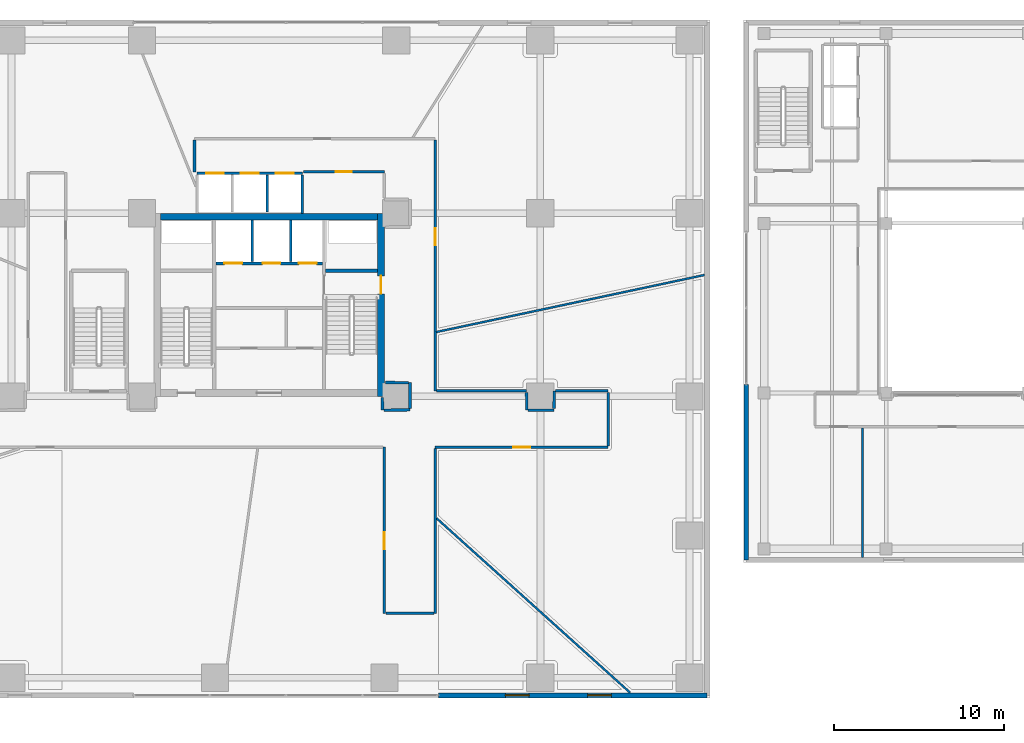
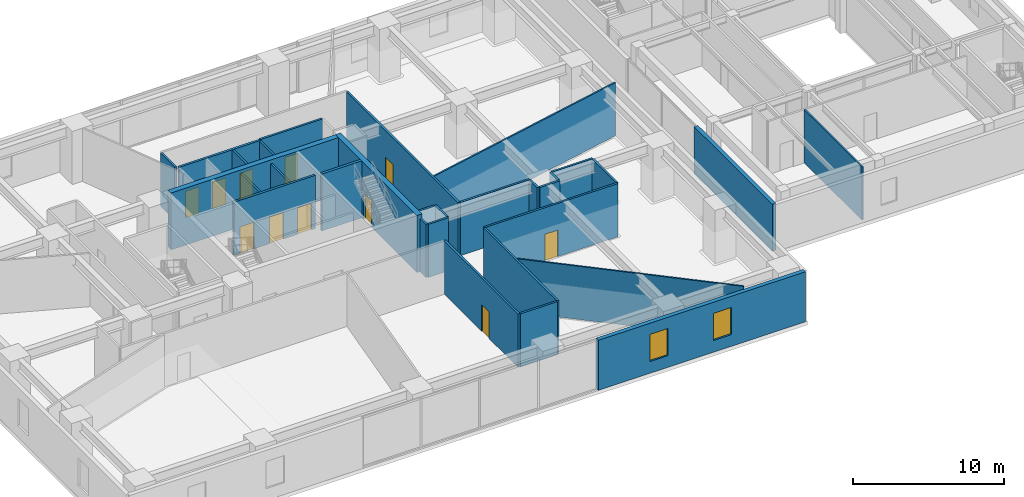
# One storey, part 17 of 24: 31 walls, 11 doors, 2 windows, 13 openings.
"""IFC4 building model written with IfcOpenShell, lengths in metres."""

from ifc_helpers import new_model, si_unit, direction, frame, frame_2d, origin, place, context, subcontext, project, spatial, rectangle, extrude, source, transform, mapped, material, layer, layer_set, type_object, type_shapes, element, fill, save


model = new_model("IFC4")

# Units and contexts
model_context = context("Model", 3, precision=1e-05, world=origin(), true_north=direction((0.0, 1.0)))
body_context = subcontext(model_context, "Body", "Model", "MODEL_VIEW")
ifc_project = project(units=[si_unit("LENGTHUNIT", "METRE"), si_unit("AREAUNIT", "SQUARE_METRE"), si_unit("VOLUMEUNIT", "CUBIC_METRE"), si_unit("PLANEANGLEUNIT", "RADIAN"), si_unit("MASSUNIT", "GRAM", prefix="KILO")], contexts=[model_context])

# Site, building, storey
site_placement = place(None, origin())
site = spatial("IfcSite", under=ifc_project, at=site_placement, CompositionType="ELEMENT")
building_placement = place(site_placement, origin())
building = spatial("IfcBuilding", under=site, at=building_placement, Name="Talar Marvaseh", CompositionType="ELEMENT")
storey_placement = place(building_placement, frame((0.0, 0.0, 9.800048828125)))
storey = spatial("IfcBuildingStorey", under=building, at=storey_placement, Name="L02", CompositionType="ELEMENT", Elevation=9.800048828125)

# Wall, openings, windows
ifc_material_1 = material(Name="Precast concrete C45/55", Category="concrete")
ifc_layer_1 = layer(ifc_material_1, 0.31005859375)
ifc_layer_set_1 = layer_set([ifc_layer_1], Name="Precast concrete C45/55")
wall_type_1 = type_object("IfcWallType", Name="Architectural Precast Limestone Podium Facade Wall 310", PredefinedType="SOLIDWALL", material=ifc_layer_set_1)
wall_1_placement = place(storey_placement, frame((51.840087890625, 8.159912109375, 0.0), z_axis=(0.0, 0.0, 1.0), x_axis=(-1.0, 0.0, 0.0)))
wall_1 = element("IfcWall", 1, at=wall_1_placement, inside=storey, type_object=wall_type_1, Name="L02 Podium South-East Facade Wall", PredefinedType="SOLIDWALL", context=body_context, shape_type="SweptSolid", body=[
    extrude(rectangle(XDim=15.840087890625, YDim=0.31005859375, at=frame_2d((7.919921875, 0.0))), origin(), (0.0, 0.0, 1.0), 4.050048828125),
])
opening_1_placement = place(wall_1_placement, frame((5.64990234375, 0.0, 0.949951171875)))
opening_1 = element("IfcOpeningElement", 2, at=opening_1_placement, cuts=wall_1, Name="Opening WN-POD14", PredefinedType="OPENING", context=body_context, shape_type="SweptSolid", body=[
    extrude(rectangle(XDim=1.39990234375, YDim=2.199951171875, at=frame_2d((0.699951171875, 1.10009765625))), frame((0.0, 0.1650390625, 0.0), z_axis=(0.0, -1.0, 0.0), x_axis=(1.0, 0.0, 0.0)), (0.0, 0.0, 1.0), 0.330078125),
])
opening_2_placement = place(wall_1_placement, frame((10.5, 0.0, 0.949951171875)))
opening_2 = element("IfcOpeningElement", 3, at=opening_2_placement, cuts=wall_1, Name="Opening WN-POD14", PredefinedType="OPENING", context=body_context, shape_type="SweptSolid", body=[
    extrude(rectangle(XDim=1.39990234375, YDim=2.199951171875, at=frame_2d((0.699951171875, 1.10009765625))), frame((0.0, 0.1650390625, 0.0), z_axis=(0.0, -1.0, 0.0), x_axis=(1.0, 0.0, 0.0)), (0.0, 0.0, 1.0), 0.330078125),
])
ifc_material_2 = material(Name="Laminated Low-E Solar Glass", Category="glass")
window_type = type_object("IfcWindowType", Name="Podium Mezzanine Solar Window 1400x2200", PartitioningType="SINGLE_PANEL", PredefinedType="WINDOW", material=ifc_material_2)
shared_shape_1 = source(origin(), body_context, "Body", "SweptSolid", [
    extrude(rectangle(XDim=1.39990234375, YDim=2.199951171875, at=frame_2d((0.699951171875, 1.10009765625))), frame((0.0, 0.030029296875, 0.0), z_axis=(0.0, -1.0, 0.0), x_axis=(1.0, 0.0, 0.0)), (0.0, 0.0, 1.0), 0.06005859375),
])
type_shapes(window_type, [shared_shape_1])
window_1_placement = place(opening_1_placement, origin())
window_1 = element("IfcWindow", 4, at=window_1_placement, inside=storey, type_object=window_type, Name="L02 Podium Solar Window", OverallHeight=2.199951171875, OverallWidth=1.39990234375, PartitioningType="SINGLE_PANEL", PredefinedType="WINDOW", context=body_context, shape_type="MappedRepresentation", body=[
    mapped(shared_shape_1, transform((0.0, 0.0, 0.0), x_axis=(1.0, 0.0, 0.0), y_axis=(0.0, 1.0, 0.0), z_axis=(0.0, 0.0, 1.0), scale=1.0)),
])
fill(opening_1, window_1)
window_2_placement = place(opening_2_placement, origin())
window_2 = element("IfcWindow", 5, at=window_2_placement, inside=storey, type_object=window_type, Name="L02 Podium Solar Window", OverallHeight=2.199951171875, OverallWidth=1.39990234375, PartitioningType="SINGLE_PANEL", PredefinedType="WINDOW", context=body_context, shape_type="MappedRepresentation", body=[
    mapped(shared_shape_1, transform((0.0, 0.0, 0.0), x_axis=(1.0, 0.0, 0.0), y_axis=(0.0, 1.0, 0.0), z_axis=(0.0, 0.0, 1.0), scale=1.0)),
])
fill(opening_2, window_2)

# Wall, opening, door
ifc_material_3 = material(Name="Gypsum Board Partition Assembly")
ifc_layer_2 = layer(ifc_material_3, 0.155029296875)
ifc_layer_set_2 = layer_set([ifc_layer_2], Name="Gypsum Board Partition Assembly")
wall_type_2 = type_object("IfcWallType", Name="Corridor Fire-Rated Acoustic Partition 155", PredefinedType="PARTITIONING", material=ifc_layer_set_2)
wall_2_placement = place(storey_placement, frame((32.800048828125, 13.0, 0.0), z_axis=(0.0, 0.0, 1.0), x_axis=(0.0, 1.0, 0.0)))
wall_2 = element("IfcWall", 6, at=wall_2_placement, inside=storey, type_object=wall_type_2, Name="L02 Interior Partition Wall", PredefinedType="PARTITIONING", context=body_context, shape_type="SweptSolid", body=[
    extrude(rectangle(XDim=9.800048828125, YDim=0.155029296875, at=frame_2d((4.89990234375, 0.0))), origin(), (0.0, 0.0, 1.0), 4.300048828125),
])
opening_3_placement = place(wall_2_placement, frame((3.78271484375, 0.0, 0.0)))
opening_3 = element("IfcOpeningElement", 7, at=opening_3_placement, cuts=wall_2, Name="Opening DR-RM100", PredefinedType="OPENING", context=body_context, shape_type="SweptSolid", body=[
    extrude(rectangle(XDim=1.0, YDim=2.14990234375, at=frame_2d((0.5, 1.074951171875))), frame((0.0, 0.08740234375, 0.0), z_axis=(0.0, -1.0, 0.0), x_axis=(1.0, 0.0, 0.0)), (0.0, 0.0, 1.0), 0.175048828125),
])
ifc_material_4 = material(Name="Acoustic Engineered Oak Timber", Category="wood")
door_type_1 = type_object("IfcDoorType", Name="Corridor Fire-Rated Gallery Door 1000x2150", OperationType="NOTDEFINED", PredefinedType="DOOR", material=ifc_material_4)
shared_shape_2 = source(origin(), body_context, "Body", "SweptSolid", [
    extrude(rectangle(XDim=1.0, YDim=2.14990234375, at=frame_2d((0.5, 1.074951171875))), frame((0.0, 0.02490234375, 0.0), z_axis=(0.0, -1.0, 0.0), x_axis=(1.0, 0.0, 0.0)), (0.0, 0.0, 1.0), 0.050048828125),
])
type_shapes(door_type_1, [shared_shape_2])
door_1_placement = place(opening_3_placement, origin())
door_1 = element("IfcDoor", 8, at=door_1_placement, inside=storey, type_object=door_type_1, Name="L02 Auditorium Pre-Function Foyer Door", OperationType="SINGLE_SWING_RIGHT", OverallHeight=2.14990234375, OverallWidth=1.0, PredefinedType="DOOR", context=body_context, shape_type="MappedRepresentation", body=[
    mapped(shared_shape_2, transform((0.0, 0.0, 0.0), x_axis=(1.0, 0.0, 0.0), y_axis=(0.0, 1.0, 0.0), z_axis=(0.0, 0.0, 1.0), scale=1.0)),
])
fill(opening_3, door_1)

wall_3_placement = place(storey_placement, frame((32.800048828125, 39.0400390625, 0.0), z_axis=(0.0, 0.0, 1.0), x_axis=(-1.0, 0.0, 0.0)))
wall_3 = element("IfcWall", 9, at=wall_3_placement, inside=storey, type_object=wall_type_2, Name="L02 Interior Partition Wall", PredefinedType="PARTITIONING", context=body_context, shape_type="SweptSolid", body=[
    extrude(rectangle(XDim=4.77001953125, YDim=0.155029296875, at=frame_2d((2.385009765625, 0.0))), origin(), (0.0, 0.0, 1.0), 4.300048828125),
])
opening_4_placement = place(wall_3_placement, frame((1.909912109375, 0.0, 0.0)))
opening_4 = element("IfcOpeningElement", 10, at=opening_4_placement, cuts=wall_3, Name="Opening DR-WC095", PredefinedType="OPENING", context=body_context, shape_type="SweptSolid", body=[
    extrude(rectangle(XDim=0.949951171875, YDim=2.14990234375, at=frame_2d((0.47509765625, 1.074951171875))), frame((0.0, 0.08740234375, 0.0), z_axis=(0.0, -1.0, 0.0), x_axis=(1.0, 0.0, 0.0)), (0.0, 0.0, 1.0), 0.175048828125),
])
door_type_2 = type_object("IfcDoorType", Name="Washroom and Service Room Door 950x2150", OperationType="NOTDEFINED", PredefinedType="DOOR", material=ifc_material_4)
shared_shape_3 = source(origin(), body_context, "Body", "SweptSolid", [
    extrude(rectangle(XDim=0.949951171875, YDim=2.14990234375, at=frame_2d((0.47509765625, 1.074951171875))), frame((0.0, 0.02490234375, 0.0), z_axis=(0.0, -1.0, 0.0), x_axis=(1.0, 0.0, 0.0)), (0.0, 0.0, 1.0), 0.050048828125),
])
type_shapes(door_type_2, [shared_shape_3])
door_2_placement = place(opening_4_placement, origin())
door_2 = element("IfcDoor", 11, at=door_2_placement, inside=storey, type_object=door_type_2, Name="L02 WC Public Washrooms Door", OperationType="SINGLE_SWING_LEFT", OverallHeight=2.14990234375, OverallWidth=0.949951171875, PredefinedType="DOOR", context=body_context, shape_type="MappedRepresentation", body=[
    mapped(shared_shape_3, transform((0.0, 0.0, 0.0), x_axis=(1.0, 0.0, 0.0), y_axis=(0.0, 1.0, 0.0), z_axis=(0.0, 0.0, 1.0), scale=1.0)),
])
fill(opening_4, door_2)

wall_4_placement = place(storey_placement, frame((35.800048828125, 40.91650390625, 0.0), z_axis=(0.0, 0.0, 1.0), x_axis=(0.0, -1.0, 0.0)))
wall_4 = element("IfcWall", 12, at=wall_4_placement, inside=storey, type_object=wall_type_2, Name="L02 Interior Partition Wall", PredefinedType="PARTITIONING", context=body_context, shape_type="SweptSolid", body=[
    extrude(rectangle(XDim=14.79638671875, YDim=0.155029296875, at=frame_2d((7.398193359375, 0.0))), origin(), (0.0, 0.0, 1.0), 4.300048828125),
])
opening_5_placement = place(wall_4_placement, frame((5.19482421875, 0.0, 0.0)))
opening_5 = element("IfcOpeningElement", 13, at=opening_5_placement, cuts=wall_4, Name="Opening DR-RM100", PredefinedType="OPENING", context=body_context, shape_type="SweptSolid", body=[
    extrude(rectangle(XDim=1.0, YDim=2.14990234375, at=frame_2d((0.5, 1.074951171875))), frame((0.0, 0.08740234375, 0.0), z_axis=(0.0, -1.0, 0.0), x_axis=(1.0, 0.0, 0.0)), (0.0, 0.0, 1.0), 0.175048828125),
])
door_3_placement = place(opening_5_placement, origin())
door_3 = element("IfcDoor", 14, at=door_3_placement, inside=storey, type_object=door_type_1, Name="L02 Stage Technical Control Office Door", OperationType="SINGLE_SWING_RIGHT", OverallHeight=2.14990234375, OverallWidth=1.0, PredefinedType="DOOR", context=body_context, shape_type="MappedRepresentation", body=[
    mapped(shared_shape_2, transform((0.0, 0.0, 0.0), x_axis=(1.0, 0.0, 0.0), y_axis=(0.0, 1.0, 0.0), z_axis=(0.0, 0.0, 1.0), scale=1.0)),
])
fill(opening_5, door_3)

wall_5_placement = place(storey_placement, frame((46.0, 22.800048828125, 0.0), z_axis=(0.0, 0.0, 1.0), x_axis=(-1.0, 0.0, 0.0)))
wall_5 = element("IfcWall", 15, at=wall_5_placement, inside=storey, type_object=wall_type_2, Name="L02 Interior Partition Wall", PredefinedType="PARTITIONING", context=body_context, shape_type="SweptSolid", body=[
    extrude(rectangle(XDim=10.199951171875, YDim=0.155029296875, at=frame_2d((5.10009765625, 0.0))), origin(), (0.0, 0.0, 1.0), 4.300048828125),
])
opening_6_placement = place(wall_5_placement, frame((4.60009765625, 0.0, 0.0)))
opening_6 = element("IfcOpeningElement", 16, at=opening_6_placement, cuts=wall_5, Name="Opening DR-RM100", PredefinedType="OPENING", context=body_context, shape_type="SweptSolid", body=[
    extrude(rectangle(XDim=1.0, YDim=2.14990234375, at=frame_2d((0.5, 1.074951171875))), frame((0.0, 0.08740234375, 0.0), z_axis=(0.0, -1.0, 0.0), x_axis=(1.0, 0.0, 0.0)), (0.0, 0.0, 1.0), 0.175048828125),
])
door_4_placement = place(opening_6_placement, origin())
door_4 = element("IfcDoor", 17, at=door_4_placement, inside=storey, type_object=door_type_1, Name="L02 Green Room and Performer Lounge Door", OperationType="SINGLE_SWING_LEFT", OverallHeight=2.14990234375, OverallWidth=1.0, PredefinedType="DOOR", context=body_context, shape_type="MappedRepresentation", body=[
    mapped(shared_shape_2, transform((0.0, 0.0, 0.0), x_axis=(1.0, 0.0, 0.0), y_axis=(0.0, 1.0, 0.0), z_axis=(0.0, 0.0, 1.0), scale=1.0)),
])
fill(opening_6, door_4)

# Walls
wall_6_placement = place(storey_placement, frame((32.68505859375, 25.72998046875, 0.0), z_axis=(0.0, 0.0, 1.0), x_axis=(0.010511902743, -0.999944748424, 0.0)))
element("IfcWall", 18, at=wall_6_placement, inside=storey, type_object=wall_type_2, Name="L02 Interior Partition Wall", PredefinedType="PARTITIONING", context=body_context, shape_type="SweptSolid", body=[
    extrude(rectangle(XDim=0.7431640625, YDim=0.155029296875, at=frame_2d((0.37158203125, 0.0))), origin(), (0.0, 0.0, 1.0), 4.300048828125),
])
wall_7_placement = place(storey_placement, frame((32.7763671875, 24.987548828125, 0.0), z_axis=(0.0, 0.0, 1.0), x_axis=(0.999967255963, 0.008092404007, 0.0)))
element("IfcWall", 19, at=wall_7_placement, inside=storey, type_object=wall_type_2, Name="L02 Interior Partition Wall", PredefinedType="PARTITIONING", context=body_context, shape_type="SweptSolid", body=[
    extrude(rectangle(XDim=1.53857421875, YDim=0.155029296875, at=frame_2d((0.769287109375, 0.0))), origin(), (0.0, 0.0, 1.0), 4.300048828125),
])
wall_8_placement = place(storey_placement, frame((34.314697265625, 25.08349609375, 0.0), z_axis=(0.0, 0.0, 1.0), x_axis=(-0.002717815702, 0.999996306732, 0.0)))
element("IfcWall", 20, at=wall_8_placement, inside=storey, type_object=wall_type_2, Name="L02 Interior Partition Wall", PredefinedType="PARTITIONING", context=body_context, shape_type="SweptSolid", body=[
    extrude(rectangle(XDim=1.527099609375, YDim=0.155029296875, at=frame_2d((0.763671875, 0.0))), origin(), (0.0, 0.0, 1.0), 4.300048828125),
])
wall_9_placement = place(storey_placement, frame((34.22705078125, 26.61083984375, 0.0), z_axis=(0.0, 0.0, 1.0), x_axis=(-0.999995856473, 0.002878721429, 0.0)))
element("IfcWall", 21, at=wall_9_placement, inside=storey, type_object=wall_type_2, Name="L02 Interior Partition Wall", PredefinedType="PARTITIONING", context=body_context, shape_type="SweptSolid", body=[
    extrude(rectangle(XDim=1.35693359375, YDim=0.155029296875, at=frame_2d((0.678466796875, 0.0))), origin(), (0.0, 0.0, 1.0), 4.300048828125),
])
wall_10_placement = place(storey_placement, frame((21.60009765625, 39.0400390625, 0.0), z_axis=(0.0, 0.0, 1.0), x_axis=(0.0, 1.0, 0.0)))
element("IfcWall", 22, at=wall_10_placement, inside=storey, type_object=wall_type_2, Name="L02 Interior Partition Wall", PredefinedType="PARTITIONING", context=body_context, shape_type="SweptSolid", body=[
    extrude(rectangle(XDim=1.87646484375, YDim=0.155029296875, at=frame_2d((0.938232421875, 0.0))), origin(), (0.0, 0.0, 1.0), 4.300048828125),
])
wall_11_placement = place(storey_placement, frame((35.883544921875, 26.1201171875, 0.0), z_axis=(0.0, 0.0, 1.0), x_axis=(1.0, 0.0, 0.0)))
element("IfcWall", 23, at=wall_11_placement, inside=storey, type_object=wall_type_2, Name="L02 Interior Partition Wall", PredefinedType="PARTITIONING", context=body_context, shape_type="SweptSolid", body=[
    extrude(rectangle(XDim=5.301513671875, YDim=0.155029296875, at=frame_2d((2.65087890625, 0.0))), origin(), (0.0, 0.0, 1.0), 4.300048828125),
])
wall_12_placement = place(storey_placement, frame((41.18603515625, 26.03662109375, 0.0), z_axis=(0.0, 0.0, 1.0), x_axis=(0.013233110982, -0.999912438553, 0.0)))
element("IfcWall", 24, at=wall_12_placement, inside=storey, type_object=wall_type_2, Name="L02 Interior Partition Wall", PredefinedType="PARTITIONING", context=body_context, shape_type="SweptSolid", body=[
    extrude(rectangle(XDim=1.051513671875, YDim=0.155029296875, at=frame_2d((0.52587890625, 0.0))), origin(), (0.0, 0.0, 1.0), 4.300048828125),
])
wall_13_placement = place(storey_placement, frame((41.283447265625, 24.985107421875, 0.0), z_axis=(0.0, 0.0, 1.0), x_axis=(0.999998718362, 0.001601022604, 0.0)))
element("IfcWall", 25, at=wall_13_placement, inside=storey, type_object=wall_type_2, Name="L02 Interior Partition Wall", PredefinedType="PARTITIONING", context=body_context, shape_type="SweptSolid", body=[
    extrude(rectangle(XDim=1.52490234375, YDim=0.155029296875, at=frame_2d((0.762451171875, 0.0))), origin(), (0.0, 0.0, 1.0), 4.300048828125),
])
wall_14_placement = place(storey_placement, frame((42.808837890625, 25.071044921875, 0.0), z_axis=(0.0, 0.0, 1.0), x_axis=(0.005817914102, 0.999983075795, 0.0)))
element("IfcWall", 26, at=wall_14_placement, inside=storey, type_object=wall_type_2, Name="L02 Interior Partition Wall", PredefinedType="PARTITIONING", context=body_context, shape_type="SweptSolid", body=[
    extrude(rectangle(XDim=1.049072265625, YDim=0.155029296875, at=frame_2d((0.5244140625, 0.0))), origin(), (0.0, 0.0, 1.0), 4.300048828125),
])
wall_15_placement = place(storey_placement, frame((42.8984375, 26.1201171875, 0.0), z_axis=(0.0, 0.0, 1.0), x_axis=(1.0, 0.0, 0.0)))
element("IfcWall", 27, at=wall_15_placement, inside=storey, type_object=wall_type_2, Name="L02 Interior Partition Wall", PredefinedType="PARTITIONING", context=body_context, shape_type="SweptSolid", body=[
    extrude(rectangle(XDim=3.1015625, YDim=0.155029296875, at=frame_2d((1.55078125, 0.0))), origin(), (0.0, 0.0, 1.0), 4.300048828125),
])
wall_16_placement = place(storey_placement, frame((46.0, 26.03662109375, 0.0), z_axis=(0.0, 0.0, 1.0), x_axis=(0.0, -1.0, 0.0)))
element("IfcWall", 28, at=wall_16_placement, inside=storey, type_object=wall_type_2, Name="L02 Interior Partition Wall", PredefinedType="PARTITIONING", context=body_context, shape_type="SweptSolid", body=[
    extrude(rectangle(XDim=3.153076171875, YDim=0.155029296875, at=frame_2d((1.57666015625, 0.0))), origin(), (0.0, 0.0, 1.0), 4.300048828125),
])
wall_17_placement = place(storey_placement, frame((35.800048828125, 22.716552734375, 0.0), z_axis=(0.0, 0.0, 1.0), x_axis=(0.0, -1.0, 0.0)))
element("IfcWall", 29, at=wall_17_placement, inside=storey, type_object=wall_type_2, Name="L02 Interior Partition Wall", PredefinedType="PARTITIONING", context=body_context, shape_type="SweptSolid", body=[
    extrude(rectangle(XDim=9.716552734375, YDim=0.155029296875, at=frame_2d((4.8583984375, 0.0))), origin(), (0.0, 0.0, 1.0), 4.300048828125),
])
wall_18_placement = place(storey_placement, frame((35.716552734375, 13.0, 0.0), z_axis=(0.0, 0.0, 1.0), x_axis=(-1.0, 0.0, 0.0)))
element("IfcWall", 30, at=wall_18_placement, inside=storey, type_object=wall_type_2, Name="L02 Interior Partition Wall", PredefinedType="PARTITIONING", context=body_context, shape_type="SweptSolid", body=[
    extrude(rectangle(XDim=2.8330078125, YDim=0.155029296875, at=frame_2d((1.41650390625, 0.0))), origin(), (0.0, 0.0, 1.0), 4.300048828125),
])
ifc_layer_3 = layer(ifc_material_3, 0.1201171875)
ifc_layer_set_3 = layer_set([ifc_layer_3], Name="Gypsum Board Partition Assembly")
wall_type_3 = type_object("IfcWallType", Name="Demountable Studio Room Partition 120", PredefinedType="PARTITIONING", material=ifc_layer_set_3)
wall_19_placement = place(storey_placement, frame((35.883544921875, 18.604736328125, 0.0), z_axis=(0.0, 0.0, 1.0), x_axis=(0.742944007244, -0.66935357032, 0.0)))
element("IfcWall", 31, at=wall_19_placement, inside=storey, type_object=wall_type_3, Name="L02 Interior Partition Wall", PredefinedType="PARTITIONING", context=body_context, shape_type="SweptSolid", body=[
    extrude(rectangle(XDim=15.363525390625, YDim=0.1201171875, at=frame_2d((7.681640625, 0.0))), origin(), (0.0, 0.0, 1.0), 4.300048828125),
])
wall_20_placement = place(storey_placement, frame((35.863525390625, 29.593505859375, 0.0), z_axis=(0.0, 0.0, 1.0), x_axis=(0.978116840554, 0.208056353481, 0.0)))
element("IfcWall", 32, at=wall_20_placement, inside=storey, type_object=wall_type_3, Name="L02 Interior Partition Wall", PredefinedType="PARTITIONING", context=body_context, shape_type="SweptSolid", body=[
    extrude(rectangle(XDim=16.180419921875, YDim=0.1201171875, at=frame_2d((8.09033203125, 0.0))), origin(), (0.0, 0.0, 1.0), 4.300048828125),
])
wall_21_placement = place(storey_placement, frame((61.0, 23.93505859375, 0.0), z_axis=(0.0, 0.0, 1.0), x_axis=(0.0, -1.0, 0.0)))
element("IfcWall", 33, at=wall_21_placement, inside=storey, type_object=wall_type_3, Name="L02 Interior Partition Wall", PredefinedType="PARTITIONING", context=body_context, shape_type="SweptSolid", body=[
    extrude(rectangle(XDim=7.635009765625, YDim=0.1201171875, at=frame_2d((3.8173828125, 0.0))), origin(), (0.0, 0.0, 1.0), 4.300048828125),
])
ifc_layer_4 = layer(ifc_material_1, 0.14501953125)
ifc_layer_set_4 = layer_set([ifc_layer_4], Name="Precast concrete C45/55")
wall_type_4 = type_object("IfcWallType", Name="Fire-Rated Lift Divider Wall 145", PredefinedType="SOLIDWALL", material=ifc_layer_set_4)
for number, where, z_axis, x_axis, name in (
    (34, (25.0, 33.743408203125, 0.0), (0.0, 0.0, 1.0), (0.0, 1.0, 0.0), "L02 FFL-1/FFL-2 Divider"),
    (35, (27.280029296875, 33.743408203125, 0.0), (0.0, 0.0, 1.0), (0.0, 1.0, 0.0), "L02 FFL-2/SVL-1 Divider"),
):
    element("IfcWall", number, at=place(storey_placement, frame(where, z_axis=z_axis, x_axis=x_axis)), inside=storey, type_object=wall_type_4, Name=name, PredefinedType="SOLIDWALL", context=body_context, shape_type="SweptSolid", body=[
        extrude(rectangle(XDim=2.45654296875, YDim=0.14501953125, at=frame_2d((1.228271484375, 0.0))), origin(), (0.0, 0.0, 1.0), 4.300048828125),
    ])
wall_22_placement = place(storey_placement, frame((27.9599609375, 36.60009765625, 0.0), z_axis=(0.0, 0.0, 1.0), x_axis=(0.0, 1.0, 0.0)))
element("IfcWall", 36, at=wall_22_placement, inside=storey, type_object=wall_type_4, Name="L02 Low-Rise Bank East Wall", PredefinedType="SOLIDWALL", context=body_context, shape_type="SweptSolid", body=[
    extrude(rectangle(XDim=2.266357421875, YDim=0.14501953125, at=frame_2d((1.13330078125, 0.0))), origin(), (0.0, 0.0, 1.0), 4.300048828125),
])
wall_23_placement = place(storey_placement, frame((25.889892578125, 36.659912109375, 0.0), z_axis=(0.0, 0.0, 1.0), x_axis=(0.0, 1.0, 0.0)))
element("IfcWall", 37, at=wall_23_placement, inside=storey, type_object=wall_type_4, Name="L02 PL-L2/PL-L3 Divider", PredefinedType="SOLIDWALL", context=body_context, shape_type="SweptSolid", body=[
    extrude(rectangle(XDim=2.20654296875, YDim=0.14501953125, at=frame_2d((1.103271484375, 0.0))), origin(), (0.0, 0.0, 1.0), 4.300048828125),
])

# Wall, openings, doors
ifc_layer_5 = layer(ifc_material_1, 0.175048828125)
ifc_layer_set_5 = layer_set([ifc_layer_5], Name="Precast concrete C45/55")
wall_type_5 = type_object("IfcWallType", Name="Fire-Rated Lift Hoistway Enclosure Wall 175", PredefinedType="SOLIDWALL", material=ifc_layer_set_5)
wall_24_placement = place(storey_placement, frame((22.860107421875, 33.64990234375, 0.0), z_axis=(0.0, 0.0, 1.0), x_axis=(1.0, 0.0, 0.0)))
wall_24 = element("IfcWall", 38, at=wall_24_placement, inside=storey, type_object=wall_type_5, Name="L02 Firefighting and Service Lift Front Wall", PredefinedType="SOLIDWALL", context=body_context, shape_type="SweptSolid", body=[
    extrude(rectangle(XDim=6.27978515625, YDim=0.175048828125, at=frame_2d((3.139892578125, 0.0))), origin(), (0.0, 0.0, 1.0), 4.300048828125),
])
opening_7_placement = place(wall_24_placement, frame((0.5, 0.0, 0.0)))
opening_7 = element("IfcOpeningElement", 39, at=opening_7_placement, cuts=wall_24, Name="Opening LD-FF1", PredefinedType="OPENING", context=body_context, shape_type="SweptSolid", body=[
    extrude(rectangle(XDim=1.050048828125, YDim=2.14990234375, at=frame_2d((0.52490234375, 1.074951171875))), frame((0.0, 0.09765625, 0.0), z_axis=(0.0, -1.0, 0.0), x_axis=(1.0, 0.0, 0.0)), (0.0, 0.0, 1.0), 0.195068359375),
])
opening_8_placement = place(wall_24_placement, frame((2.760009765625, 0.0, 0.0)))
opening_8 = element("IfcOpeningElement", 40, at=opening_8_placement, cuts=wall_24, Name="Opening LD-FF2", PredefinedType="OPENING", context=body_context, shape_type="SweptSolid", body=[
    extrude(rectangle(XDim=1.050048828125, YDim=2.14990234375, at=frame_2d((0.52490234375, 1.074951171875))), frame((0.0, 0.09765625, 0.0), z_axis=(0.0, -1.0, 0.0), x_axis=(1.0, 0.0, 0.0)), (0.0, 0.0, 1.0), 0.195068359375),
])
opening_9_placement = place(wall_24_placement, frame((4.89990234375, 0.0, 0.0)))
opening_9 = element("IfcOpeningElement", 41, at=opening_9_placement, cuts=wall_24, Name="Opening LD-SV1", PredefinedType="OPENING", context=body_context, shape_type="SweptSolid", body=[
    extrude(rectangle(XDim=1.050048828125, YDim=2.14990234375, at=frame_2d((0.52490234375, 1.074951171875))), frame((0.0, 0.09765625, 0.0), z_axis=(0.0, -1.0, 0.0), x_axis=(1.0, 0.0, 0.0)), (0.0, 0.0, 1.0), 0.195068359375),
])
ifc_material_5 = material(Name="Stainless Steel Grade 316", Category="steel")
door_type_3 = type_object("IfcDoorType", Name="Automatic Sliding Lift Landing Door 1050x2150", OperationType="NOTDEFINED", PredefinedType="DOOR", material=ifc_material_5)
shared_shape_4 = source(origin(), body_context, "Body", "SweptSolid", [
    extrude(rectangle(XDim=1.050048828125, YDim=2.14990234375, at=frame_2d((0.52490234375, 1.074951171875))), frame((0.0, 0.02490234375, 0.0), z_axis=(0.0, -1.0, 0.0), x_axis=(1.0, 0.0, 0.0)), (0.0, 0.0, 1.0), 0.050048828125),
])
type_shapes(door_type_3, [shared_shape_4])
door_5_placement = place(opening_7_placement, origin())
door_5 = element("IfcDoor", 42, at=door_5_placement, inside=storey, type_object=door_type_3, Name="L02 Lift FFL-1 Sliding Landing Door", OperationType="SLIDING_TO_LEFT", OverallHeight=2.14990234375, OverallWidth=1.050048828125, PredefinedType="DOOR", context=body_context, shape_type="MappedRepresentation", body=[
    mapped(shared_shape_4, transform((0.0, 0.0, 0.0), x_axis=(1.0, 0.0, 0.0), y_axis=(0.0, 1.0, 0.0), z_axis=(0.0, 0.0, 1.0), scale=1.0)),
])
fill(opening_7, door_5)
door_6_placement = place(opening_8_placement, origin())
door_6 = element("IfcDoor", 43, at=door_6_placement, inside=storey, type_object=door_type_3, Name="L02 Lift FFL-2 Sliding Landing Door", OperationType="SLIDING_TO_LEFT", OverallHeight=2.14990234375, OverallWidth=1.050048828125, PredefinedType="DOOR", context=body_context, shape_type="MappedRepresentation", body=[
    mapped(shared_shape_4, transform((0.0, 0.0, 0.0), x_axis=(1.0, 0.0, 0.0), y_axis=(0.0, 1.0, 0.0), z_axis=(0.0, 0.0, 1.0), scale=1.0)),
])
fill(opening_8, door_6)
door_7_placement = place(opening_9_placement, origin())
door_7 = element("IfcDoor", 44, at=door_7_placement, inside=storey, type_object=door_type_3, Name="L02 Lift SVL-1 Sliding Landing Door", OperationType="SLIDING_TO_LEFT", OverallHeight=2.14990234375, OverallWidth=1.050048828125, PredefinedType="DOOR", context=body_context, shape_type="MappedRepresentation", body=[
    mapped(shared_shape_4, transform((0.0, 0.0, 0.0), x_axis=(1.0, 0.0, 0.0), y_axis=(0.0, 1.0, 0.0), z_axis=(0.0, 0.0, 1.0), scale=1.0)),
])
fill(opening_9, door_7)

wall_25_placement = place(storey_placement, frame((21.760009765625, 38.9599609375, 0.0), z_axis=(0.0, 0.0, 1.0), x_axis=(1.0, 0.0, 0.0)))
wall_25 = element("IfcWall", 45, at=wall_25_placement, inside=storey, type_object=wall_type_5, Name="L02 Low-Rise Lift Bank Front Wall", PredefinedType="SOLIDWALL", context=body_context, shape_type="SweptSolid", body=[
    extrude(rectangle(XDim=6.199951171875, YDim=0.175048828125, at=frame_2d((3.10009765625, 0.0))), origin(), (0.0, 0.0, 1.0), 4.300048828125),
])
opening_10_placement = place(wall_25_placement, frame((0.52001953125, 0.0, 0.0)))
opening_10 = element("IfcOpeningElement", 46, at=opening_10_placement, cuts=wall_25, Name="Opening LD-PLL1", PredefinedType="OPENING", context=body_context, shape_type="SweptSolid", body=[
    extrude(rectangle(XDim=1.050048828125, YDim=2.14990234375, at=frame_2d((0.52490234375, 1.074951171875))), frame((0.0, 0.09765625, 0.0), z_axis=(0.0, -1.0, 0.0), x_axis=(1.0, 0.0, 0.0)), (0.0, 0.0, 1.0), 0.195068359375),
])
opening_11_placement = place(wall_25_placement, frame((2.580078125, 0.0, 0.0)))
opening_11 = element("IfcOpeningElement", 47, at=opening_11_placement, cuts=wall_25, Name="Opening LD-PLL2", PredefinedType="OPENING", context=body_context, shape_type="SweptSolid", body=[
    extrude(rectangle(XDim=1.050048828125, YDim=2.14990234375, at=frame_2d((0.52490234375, 1.074951171875))), frame((0.0, 0.09765625, 0.0), z_axis=(0.0, -1.0, 0.0), x_axis=(1.0, 0.0, 0.0)), (0.0, 0.0, 1.0), 0.195068359375),
])
opening_12_placement = place(wall_25_placement, frame((4.639892578125, 0.0, 0.0)))
opening_12 = element("IfcOpeningElement", 48, at=opening_12_placement, cuts=wall_25, Name="Opening LD-PLL3", PredefinedType="OPENING", context=body_context, shape_type="SweptSolid", body=[
    extrude(rectangle(XDim=1.050048828125, YDim=2.14990234375, at=frame_2d((0.52490234375, 1.074951171875))), frame((0.0, 0.09765625, 0.0), z_axis=(0.0, -1.0, 0.0), x_axis=(1.0, 0.0, 0.0)), (0.0, 0.0, 1.0), 0.195068359375),
])
door_8_placement = place(opening_10_placement, origin())
door_8 = element("IfcDoor", 49, at=door_8_placement, inside=storey, type_object=door_type_3, Name="L02 Lift PL-L1 Sliding Landing Door", OperationType="SLIDING_TO_LEFT", OverallHeight=2.14990234375, OverallWidth=1.050048828125, PredefinedType="DOOR", context=body_context, shape_type="MappedRepresentation", body=[
    mapped(shared_shape_4, transform((0.0, 0.0, 0.0), x_axis=(1.0, 0.0, 0.0), y_axis=(0.0, 1.0, 0.0), z_axis=(0.0, 0.0, 1.0), scale=1.0)),
])
fill(opening_10, door_8)
door_9_placement = place(opening_11_placement, origin())
door_9 = element("IfcDoor", 50, at=door_9_placement, inside=storey, type_object=door_type_3, Name="L02 Lift PL-L2 Sliding Landing Door", OperationType="SLIDING_TO_LEFT", OverallHeight=2.14990234375, OverallWidth=1.050048828125, PredefinedType="DOOR", context=body_context, shape_type="MappedRepresentation", body=[
    mapped(shared_shape_4, transform((0.0, 0.0, 0.0), x_axis=(1.0, 0.0, 0.0), y_axis=(0.0, 1.0, 0.0), z_axis=(0.0, 0.0, 1.0), scale=1.0)),
])
fill(opening_11, door_9)
door_10_placement = place(opening_12_placement, origin())
door_10 = element("IfcDoor", 51, at=door_10_placement, inside=storey, type_object=door_type_3, Name="L02 Lift PL-L3 Sliding Landing Door", OperationType="SLIDING_TO_LEFT", OverallHeight=2.14990234375, OverallWidth=1.050048828125, PredefinedType="DOOR", context=body_context, shape_type="MappedRepresentation", body=[
    mapped(shared_shape_4, transform((0.0, 0.0, 0.0), x_axis=(1.0, 0.0, 0.0), y_axis=(0.0, 1.0, 0.0), z_axis=(0.0, 0.0, 1.0), scale=1.0)),
])
fill(opening_12, door_10)

# Wall, opening, door
ifc_material_6 = material(Name="Concrete C70/85", Category="concrete")
ifc_layer_6 = layer(ifc_material_6, 0.39990234375)
ifc_layer_set_6 = layer_set([ifc_layer_6], Name="Concrete C70/85")
wall_type_6 = type_object("IfcWallType", Name="Lower Core Reinforced Concrete Shear Wall 400", PredefinedType="SHEAR", material=ifc_layer_set_6)
wall_26_placement = place(storey_placement, frame((32.60009765625, 36.60009765625, 0.0), z_axis=(0.0, 0.0, 1.0), x_axis=(0.0, -1.0, 0.0)))
wall_26 = element("IfcWall", 52, at=wall_26_placement, inside=storey, type_object=wall_type_6, Name="L02 East Core Shear Wall", PredefinedType="SHEAR", context=body_context, shape_type="SweptSolid", body=[
    extrude(rectangle(XDim=10.800048828125, YDim=0.39990234375, at=frame_2d((5.39990234375, 0.0))), origin(), (0.0, 0.0, 1.0), 4.599853515625),
])
opening_13_placement = place(wall_26_placement, frame((3.699951171875, 0.0, 0.0)))
opening_13 = element("IfcOpeningElement", 53, at=opening_13_placement, cuts=wall_26, Name="Opening DR-ST105", PredefinedType="OPENING", context=body_context, shape_type="SweptSolid", body=[
    extrude(rectangle(XDim=1.050048828125, YDim=2.14990234375, at=frame_2d((0.52490234375, 1.074951171875))), frame((0.0, 0.2099609375, 0.0), z_axis=(0.0, -1.0, 0.0), x_axis=(1.0, 0.0, 0.0)), (0.0, 0.0, 1.0), 0.419921875),
])
ifc_material_7 = material(Name="Fire-Rated Steel Door Leaf", Category="steel")
door_type_4 = type_object("IfcDoorType", Name="Protected Exit Stair Fire Door 1050x2150", OperationType="NOTDEFINED", PredefinedType="DOOR", material=ifc_material_7)
shared_shape_5 = source(origin(), body_context, "Body", "SweptSolid", [
    extrude(rectangle(XDim=1.050048828125, YDim=2.14990234375, at=frame_2d((0.52490234375, 1.074951171875))), frame((0.0, 0.02490234375, 0.0), z_axis=(0.0, -1.0, 0.0), x_axis=(1.0, 0.0, 0.0)), (0.0, 0.0, 1.0), 0.050048828125),
])
type_shapes(door_type_4, [shared_shape_5])
door_11_placement = place(opening_13_placement, origin())
door_11 = element("IfcDoor", 54, at=door_11_placement, inside=storey, type_object=door_type_4, Name="L02 Stair ST-2 Corridor Exit Door", OperationType="SINGLE_SWING_LEFT", OverallHeight=2.14990234375, OverallWidth=1.050048828125, PredefinedType="DOOR", context=body_context, shape_type="MappedRepresentation", body=[
    mapped(shared_shape_5, transform((0.0, 0.0, 0.0), x_axis=(1.0, 0.0, 0.0), y_axis=(0.0, 1.0, 0.0), z_axis=(0.0, 0.0, 1.0), scale=1.0)),
])
fill(opening_13, door_11)

# Walls
wall_27_placement = place(storey_placement, frame((19.60009765625, 36.39990234375, 0.0), z_axis=(0.0, 0.0, 1.0), x_axis=(1.0, 0.0, 0.0)))
element("IfcWall", 55, at=wall_27_placement, inside=storey, type_object=wall_type_6, Name="L02 North Core Shear Wall", PredefinedType="SHEAR", context=body_context, shape_type="SweptSolid", body=[
    extrude(rectangle(XDim=12.7998046875, YDim=0.39990234375, at=frame_2d((6.39990234375, 0.0))), origin(), (0.0, 0.0, 1.0), 4.599853515625),
])
ifc_layer_7 = layer(ifc_material_1, 0.2900390625)
ifc_layer_set_7 = layer_set([ifc_layer_7], Name="Precast concrete C45/55")
wall_type_7 = type_object("IfcWallType", Name="Market Hall Precast Limestone Bazaar Wall 290", PredefinedType="SOLIDWALL", material=ifc_layer_set_7)
wall_28_placement = place(storey_placement, frame((54.14990234375, 16.14990234375, 0.0), z_axis=(0.0, 0.0, 1.0), x_axis=(0.0, 1.0, 0.0)))
element("IfcWall", 56, at=wall_28_placement, inside=storey, type_object=wall_type_7, Name="L02 Market Hall West-South Wall", PredefinedType="SOLIDWALL", context=body_context, shape_type="SweptSolid", body=[
    extrude(rectangle(XDim=10.35009765625, YDim=0.2900390625, at=frame_2d((5.175048828125, 0.0))), origin(), (0.0, 0.0, 1.0), 3.800048828125),
])
ifc_material_8 = material(Name="Concrete C50/60", Category="concrete")
ifc_layer_8 = layer(ifc_material_8, 0.199951171875)
ifc_layer_set_8 = layer_set([ifc_layer_8], Name="Concrete C50/60")
wall_type_8 = type_object("IfcWallType", Name="Stair Shaft Structural Concrete Shear Wall 200", PredefinedType="SHEAR", material=ifc_layer_set_8)
wall_29_placement = place(storey_placement, frame((29.340087890625, 33.199951171875, 0.0), z_axis=(0.0, 0.0, 1.0), x_axis=(1.0, 0.0, 0.0)))
element("IfcWall", 57, at=wall_29_placement, inside=storey, type_object=wall_type_8, Name="L02 Stair ST-2 North Shear Wall", PredefinedType="SHEAR", context=body_context, shape_type="SweptSolid", body=[
    extrude(rectangle(XDim=3.059814453125, YDim=0.199951171875, at=frame_2d((1.52978515625, 0.0))), origin(), (0.0, 0.0, 1.0), 4.599853515625),
])

save(model, "model.ifc")
